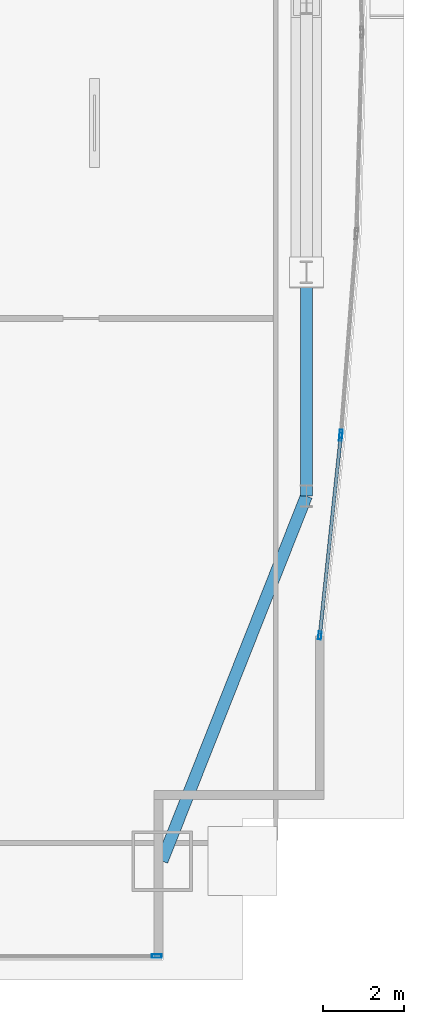
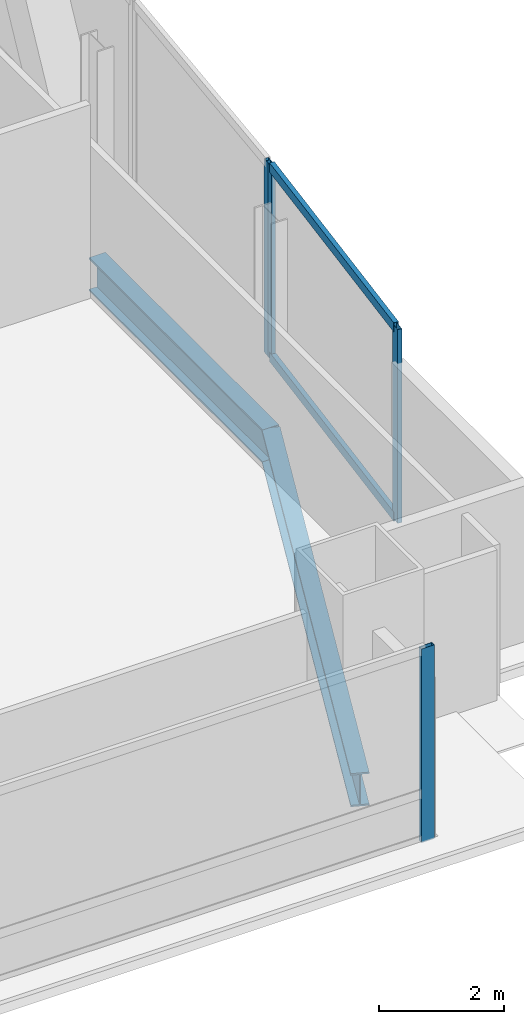
# One storey, part 20 of 32: 6 members, 2 beams, 3 elements without a shape of their own.
"""IFC4 building model written with IfcOpenShell, lengths in metres."""

from ifc_helpers import new_model, si_unit, direction, frame, origin, origin_2d, place, context, subcontext, project, spatial, hollow_rectangle, i_section, extrude, material, material_profile, profile_set, type_object, element, aggregate, save


model = new_model("IFC4")

# Units and contexts
model_context = context("Model", 3, precision=1e-05, world=origin(), true_north=direction((0.0, 1.0)))
body_context = subcontext(model_context, "Body", "Model", "MODEL_VIEW")
ifc_project = project(units=[si_unit("LENGTHUNIT", "METRE"), si_unit("AREAUNIT", "SQUARE_METRE"), si_unit("VOLUMEUNIT", "CUBIC_METRE"), si_unit("PLANEANGLEUNIT", "RADIAN"), si_unit("MASSUNIT", "GRAM", prefix="KILO")], contexts=[model_context])

# Site, building, storey
site_placement = place(None, origin())
site = spatial("IfcSite", under=ifc_project, at=site_placement, CompositionType="ELEMENT")
building_placement = place(site_placement, origin())
building = spatial("IfcBuilding", under=site, at=building_placement, Name="Khoronbel Lancet Exchange", CompositionType="ELEMENT")
storey_placement = place(building_placement, frame((0.0, 0.0, 81.800048828125)))
storey = spatial("IfcBuildingStorey", under=building, at=storey_placement, Name="L19", CompositionType="ELEMENT", Elevation=81.800048828125)

# Beams
ifc_material_1 = material(Name="Steel S355", Category="steel")
ifc_material_profile_1 = material_profile(ifc_material_1, i_section(OverallWidth=0.300048828125, OverallDepth=0.64990234375, WebThickness=0.01611328125, FlangeThickness=0.031005859375, at=origin_2d()), Name="HEB 650")
ifc_profile_set_1 = profile_set([ifc_material_profile_1], Name="Steel S355")
beam_type = type_object("IfcBeamType", Name="BM-BSP1", PredefinedType="SPANDREL", material=ifc_profile_set_1)
beam_1_placement = place(storey_placement, frame((66.050048828125, 10.14990234375, -0.505126953125), z_axis=(0.367828403855, 0.929893684954, 0.0), x_axis=(-0.929893684954, 0.367828403855, 0.0)))
element("IfcBeam", 1, at=beam_1_placement, inside=storey, type_object=beam_type, Name="Level L19 perimeter spandrel beam SP08", PredefinedType="SPANDREL", context=body_context, shape_type="SweptSolid", body=[
    extrude(i_section(OverallWidth=0.300048828125, OverallDepth=0.64990234375, WebThickness=0.01611328125, FlangeThickness=0.031005859375, at=origin_2d()), origin(), (0.0, 0.0, 1.0), 9.732421875),
])
beam_2_placement = place(storey_placement, frame((69.6298828125, 19.199951171875, -0.505126953125), z_axis=(0.0, 1.0, 0.0), x_axis=(-1.0, 0.0, 0.0)))
element("IfcBeam", 2, at=beam_2_placement, inside=storey, type_object=beam_type, Name="Level L19 perimeter spandrel beam SP09", PredefinedType="SPANDREL", context=body_context, shape_type="SweptSolid", body=[
    extrude(i_section(OverallWidth=0.300048828125, OverallDepth=0.64990234375, WebThickness=0.01611328125, FlangeThickness=0.031005859375, at=origin_2d()), origin(), (0.0, 0.0, 1.0), 5.550048828125),
])

# Curtain wall, member
ifc_material_2 = material(Name="Low-E Solar Control Insulating Glass", Category="glass")
curtain_wall_type_1 = type_object("IfcCurtainWallType", Name="CW-2", PredefinedType="NOTDEFINED", material=ifc_material_2)
curtain_wall_1_placement = place(storey_placement, origin())
curtain_wall_1 = element("IfcCurtainWall", 3, at=curtain_wall_1_placement, inside=storey, type_object=curtain_wall_type_1, Name="Unitised curtain wall CW-L19-SEV", PredefinedType="NOTDEFINED")
ifc_material_3 = material(Name="Bronze-Anodised Aluminium 6063-T6", Category="aluminium")
ifc_material_profile_2 = material_profile(ifc_material_3, hollow_rectangle(XDim=0.0849609375, YDim=0.239990234375, WallThickness=0.006103515625, at=origin_2d()), Name="ALU MULLION 85x240")
ifc_profile_set_2 = profile_set([ifc_material_profile_2], Name="Bronze-Anodised Aluminium 6063-T6")
member_type_1 = type_object("IfcMemberType", Name="MEM-CWM1", PredefinedType="MULLION", material=ifc_profile_set_2)
member_1_placement = place(storey_placement, frame((65.91748046875, 7.7900390625, 0.0), z_axis=(0.0, 0.0, 1.0), x_axis=(0.0, 1.0, 0.0)))
member_1 = element("IfcMember", 4, at=member_1_placement, type_object=member_type_1, Name="CW2 mullion 2", PredefinedType="MULLION", context=body_context, shape_type="SweptSolid", body=[
    extrude(hollow_rectangle(XDim=0.0849609375, YDim=0.239990234375, WallThickness=0.006103515625, at=origin_2d()), origin(), (0.0, 0.0, 1.0), 3.780029296875),
])
aggregate(curtain_wall_1, [member_1])

curtain_wall_type_2 = type_object("IfcCurtainWallType", Name="CW-4", PredefinedType="NOTDEFINED", material=ifc_material_2)
curtain_wall_2_placement = place(storey_placement, origin())
curtain_wall_2 = element("IfcCurtainWall", 5, at=curtain_wall_2_placement, inside=storey, type_object=curtain_wall_type_2, Name="Unitised curtain wall CW-L19-E21", PredefinedType="NOTDEFINED")
ifc_material_profile_3 = material_profile(ifc_material_3, hollow_rectangle(XDim=0.074951171875, YDim=0.199951171875, WallThickness=0.0048828125, at=origin_2d()), Name="ALU MULLION 75x200")
ifc_profile_set_3 = profile_set([ifc_material_profile_3], Name="Bronze-Anodised Aluminium 6063-T6")
member_type_2 = type_object("IfcMemberType", Name="MEM-CWM2", PredefinedType="MULLION", material=ifc_profile_set_3)
member_2_placement = place(storey_placement, frame((70.48828125, 20.74560546875, 0.0), z_axis=(0.0, 0.0, 1.0), x_axis=(0.997059882555, -0.076626304874, 0.0)))
member_2 = element("IfcMember", 6, at=member_2_placement, type_object=member_type_2, Name="CW4 mullion 2", PredefinedType="MULLION", context=body_context, shape_type="SweptSolid", body=[
    extrude(hollow_rectangle(XDim=0.074951171875, YDim=0.199951171875, WallThickness=0.0048828125, at=origin_2d()), origin(), (0.0, 0.0, 1.0), 3.780029296875),
])
aggregate(curtain_wall_2, [member_2])

# Curtain wall, members
curtain_wall_3_placement = place(storey_placement, origin())
curtain_wall_3 = element("IfcCurtainWall", 7, at=curtain_wall_3_placement, inside=storey, type_object=curtain_wall_type_2, Name="Unitised curtain wall CW-L19-E22", PredefinedType="NOTDEFINED")
member_3_placement = place(storey_placement, frame((70.4814453125, 20.6708984375, 0.0), z_axis=(0.0, 0.0, 1.0), x_axis=(0.994531779003, -0.104434383958, 0.0)))
member_3 = element("IfcMember", 8, at=member_3_placement, type_object=member_type_2, Name="CW4 mullion 1", PredefinedType="MULLION", context=body_context, shape_type="SweptSolid", body=[
    extrude(hollow_rectangle(XDim=0.074951171875, YDim=0.199951171875, WallThickness=0.0048828125, at=origin_2d()), origin(), (0.0, 0.0, 1.0), 3.780029296875),
])
member_4_placement = place(storey_placement, frame((69.9638671875, 15.741943359375, 0.0), z_axis=(0.0, 0.0, 1.0), x_axis=(0.994531779003, -0.104434383958, 0.0)))
member_4 = element("IfcMember", 9, at=member_4_placement, type_object=member_type_2, Name="CW4 mullion 2", PredefinedType="MULLION", context=body_context, shape_type="SweptSolid", body=[
    extrude(hollow_rectangle(XDim=0.074951171875, YDim=0.199951171875, WallThickness=0.0048828125, at=origin_2d()), origin(), (0.0, 0.0, 1.0), 3.780029296875),
])
ifc_material_profile_4 = material_profile(ifc_material_3, hollow_rectangle(XDim=0.0849609375, YDim=0.179931640625, WallThickness=0.0048828125, at=origin_2d()), Name="ALU TRANSOM 85x180")
ifc_profile_set_4 = profile_set([ifc_material_profile_4], Name="Bronze-Anodised Aluminium 6063-T6")
member_type_3 = type_object("IfcMemberType", Name="MEM-CWT1", PredefinedType="USERDEFINED", material=ifc_profile_set_4)
member_5_placement = place(storey_placement, frame((70.4775390625, 20.633544921875, 0.04248046875), z_axis=(-0.104440030005, -0.994531186104, 0.0), x_axis=(0.994531186104, -0.104440030005, 0.0)))
member_5 = element("IfcMember", 10, at=member_5_placement, type_object=member_type_3, Name="CW4 transom 1.1", ObjectType="TRANSOM", PredefinedType="USERDEFINED", context=body_context, shape_type="SweptSolid", body=[
    extrude(hollow_rectangle(XDim=0.0849609375, YDim=0.179931640625, WallThickness=0.0048828125, at=origin_2d()), origin(), (0.0, 0.0, 1.0), 4.880859375),
])
member_6_placement = place(storey_placement, frame((70.4775390625, 20.633544921875, 3.737548828125), z_axis=(-0.104440030005, -0.994531186104, 0.0), x_axis=(0.994531186104, -0.104440030005, 0.0)))
member_6 = element("IfcMember", 11, at=member_6_placement, type_object=member_type_3, Name="CW4 transom 1.2", ObjectType="TRANSOM", PredefinedType="USERDEFINED", context=body_context, shape_type="SweptSolid", body=[
    extrude(hollow_rectangle(XDim=0.0849609375, YDim=0.179931640625, WallThickness=0.0048828125, at=origin_2d()), origin(), (0.0, 0.0, 1.0), 4.880859375),
])
aggregate(curtain_wall_3, [member_3, member_4, member_5, member_6])

save(model, "model.ifc")
